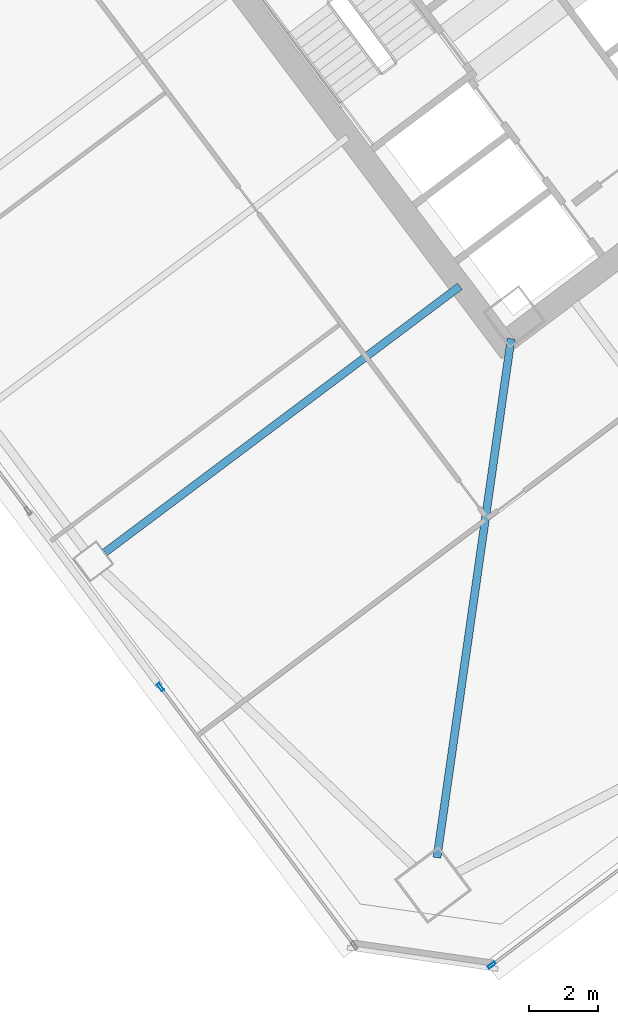
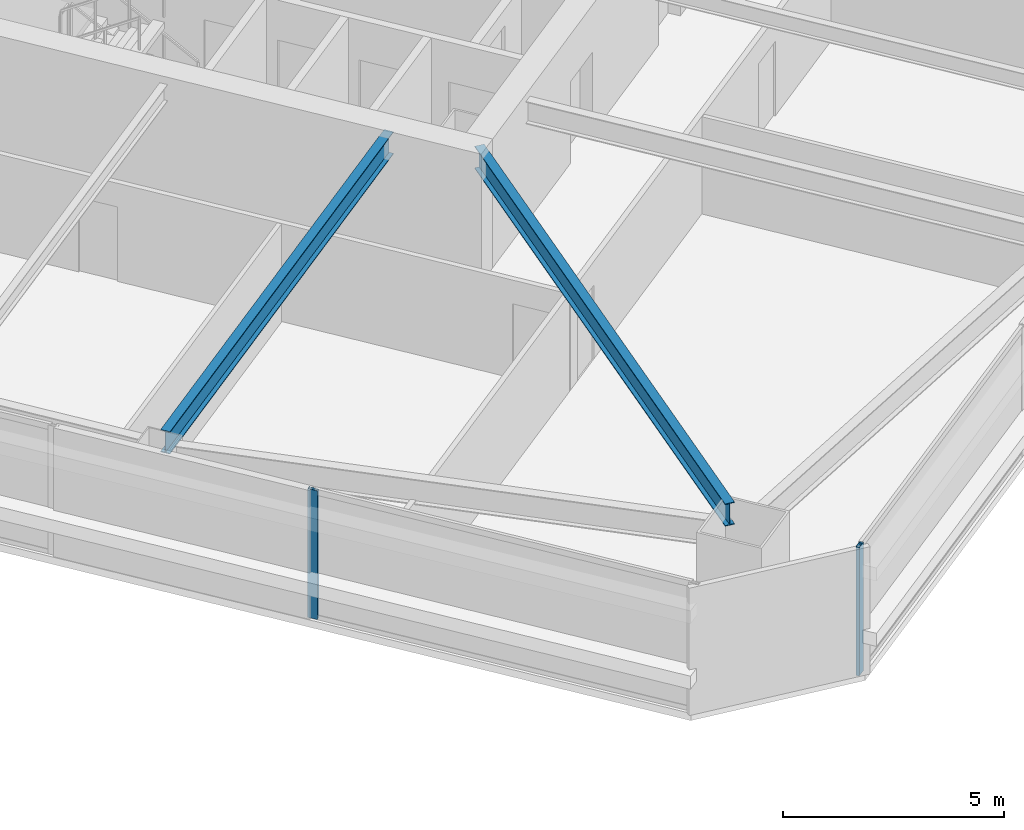
# One storey, part 17 of 45: 2 beams, 2 members, 2 elements without a shape of their own.
"""IFC4 building model written with IfcOpenShell, lengths in metres."""

from ifc_helpers import new_model, si_unit, direction, frame, origin, origin_2d, place, context, subcontext, project, spatial, hollow_rectangle, i_section, extrude, material, material_profile, profile_set, type_object, element, aggregate, save


model = new_model("IFC4")

# Units and contexts
model_context = context("Model", 3, precision=1e-05, world=origin(), true_north=direction((0.0, 1.0)))
body_context = subcontext(model_context, "Body", "Model", "MODEL_VIEW")
ifc_project = project(units=[si_unit("LENGTHUNIT", "METRE"), si_unit("AREAUNIT", "SQUARE_METRE"), si_unit("VOLUMEUNIT", "CUBIC_METRE"), si_unit("PLANEANGLEUNIT", "RADIAN"), si_unit("MASSUNIT", "GRAM", prefix="KILO")], contexts=[model_context])

# Site, building, storey
site_placement = place(None, origin())
site = spatial("IfcSite", under=ifc_project, at=site_placement, CompositionType="ELEMENT")
building_placement = place(site_placement, origin())
building = spatial("IfcBuilding", under=site, at=building_placement, Name="Tashvorn Skyway Center", CompositionType="ELEMENT")
storey_placement = place(building_placement, frame((0.0, 0.0, 35.25)))
storey = spatial("IfcBuildingStorey", under=building, at=storey_placement, Name="L08", CompositionType="ELEMENT", Elevation=35.25)

# Beams
ifc_material_1 = material(Name="Steel ASTM A992 Grade 50", Category="steel")
ifc_material_profile_1 = material_profile(ifc_material_1, i_section(OverallWidth=0.22998046875, OverallDepth=0.616943359375, WebThickness=0.01318359375, FlangeThickness=0.022216796875, at=origin_2d()), Name="W24X94")
ifc_profile_set_1 = profile_set([ifc_material_profile_1], Name="Steel ASTM A992 Grade 50")
beam_type = type_object("IfcBeamType", Name="BM-BEAM-W24X94", PredefinedType="BEAM", material=ifc_profile_set_1)
beam_1_placement = place(storey_placement, frame((110.3525390625, 6.467041015625, 3.04150390625), z_axis=(0.141414599991, 0.989950458816, 0.0), x_axis=(-0.989950458816, 0.141414599991, 0.0)))
element("IfcBeam", 1, at=beam_1_placement, inside=storey, type_object=beam_type, Name="Tower 2 L08 Primary Floor Girder MC-SW", PredefinedType="BEAM", context=body_context, shape_type="SweptSolid", body=[
    extrude(i_section(OverallWidth=0.22998046875, OverallDepth=0.616943359375, WebThickness=0.01318359375, FlangeThickness=0.022216796875, at=origin_2d()), origin(), (0.0, 0.0, 1.0), 15.177001953125),
])
beam_2_placement = place(storey_placement, frame((100.736083984375, 15.302001953125, 3.04150390625), z_axis=(0.800002279907, 0.599996960112, 0.0), x_axis=(-0.599996960112, 0.800002279907, 0.0)))
element("IfcBeam", 2, at=beam_2_placement, inside=storey, type_object=beam_type, Name="Tower 2 L08 Primary Floor Girder FC-W2", PredefinedType="BEAM", context=body_context, shape_type="SweptSolid", body=[
    extrude(i_section(OverallWidth=0.22998046875, OverallDepth=0.616943359375, WebThickness=0.01318359375, FlangeThickness=0.022216796875, at=origin_2d()), origin(), (0.0, 0.0, 1.0), 12.85009765625),
])

# Curtain wall, member
ifc_material_2 = material(Name="Thermally broken bronze-anodized aluminium 6063-T6", Category="aluminium")
curtain_wall_type = type_object("IfcCurtainWallType", Name="CW-CW-Z1", PredefinedType="NOTDEFINED", material=ifc_material_2)
curtain_wall_1_placement = place(storey_placement, origin())
curtain_wall_1 = element("IfcCurtainWall", 3, at=curtain_wall_1_placement, inside=storey, type_object=curtain_wall_type, Name="Tower 2 L08 South Unitised Curtain Wall Glazing Group 3", PredefinedType="NOTDEFINED")
ifc_material_profile_2 = material_profile(ifc_material_2, hollow_rectangle(XDim=0.0849609375, YDim=0.239990234375, WallThickness=0.0048828125, at=origin_2d()), Name="ALU-MULL-85x240")
ifc_profile_set_2 = profile_set([ifc_material_profile_2], Name="Thermally broken bronze-anodized aluminium 6063-T6")
member_type = type_object("IfcMemberType", Name="CWM-CW-Z1", PredefinedType="MULLION", material=ifc_profile_set_2)
member_1_placement = place(storey_placement, frame((111.93798828125, 3.353515625, 0.0), z_axis=(0.0, 0.0, 1.0), x_axis=(0.600000000002, -0.799999999998, 0.0)))
member_1 = element("IfcMember", 4, at=member_1_placement, type_object=member_type, Name="CW-Z1 mullion 2", PredefinedType="MULLION", context=body_context, shape_type="SweptSolid", body=[
    extrude(hollow_rectangle(XDim=0.0849609375, YDim=0.239990234375, WallThickness=0.0048828125, at=origin_2d()), origin(), (0.0, 0.0, 1.0), 3.550048828125),
])
aggregate(curtain_wall_1, [member_1])

curtain_wall_2_placement = place(storey_placement, origin())
curtain_wall_2 = element("IfcCurtainWall", 5, at=curtain_wall_2_placement, inside=storey, type_object=curtain_wall_type, Name="Tower 2 L08 West Unitised Curtain Wall Glazing Group 1", PredefinedType="NOTDEFINED")
member_2_placement = place(storey_placement, frame((102.345458984375, 11.406005859375, 0.0), z_axis=(0.0, 0.0, 1.0), x_axis=(-0.799999999998, -0.600000000002, 0.0)))
member_2 = element("IfcMember", 6, at=member_2_placement, type_object=member_type, Name="CW-Z1 mullion 2", PredefinedType="MULLION", context=body_context, shape_type="SweptSolid", body=[
    extrude(hollow_rectangle(XDim=0.0849609375, YDim=0.239990234375, WallThickness=0.0048828125, at=origin_2d()), origin(), (0.0, 0.0, 1.0), 3.550048828125),
])
aggregate(curtain_wall_2, [member_2])

save(model, "model.ifc")
